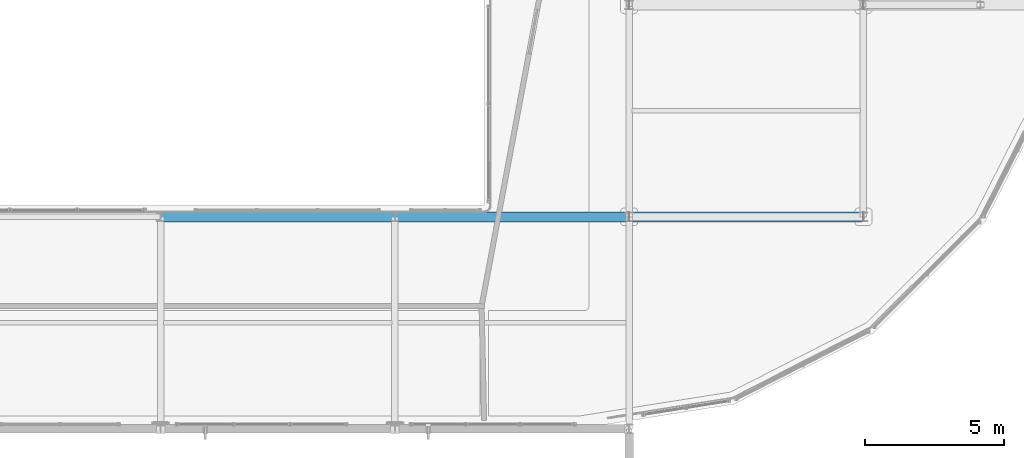
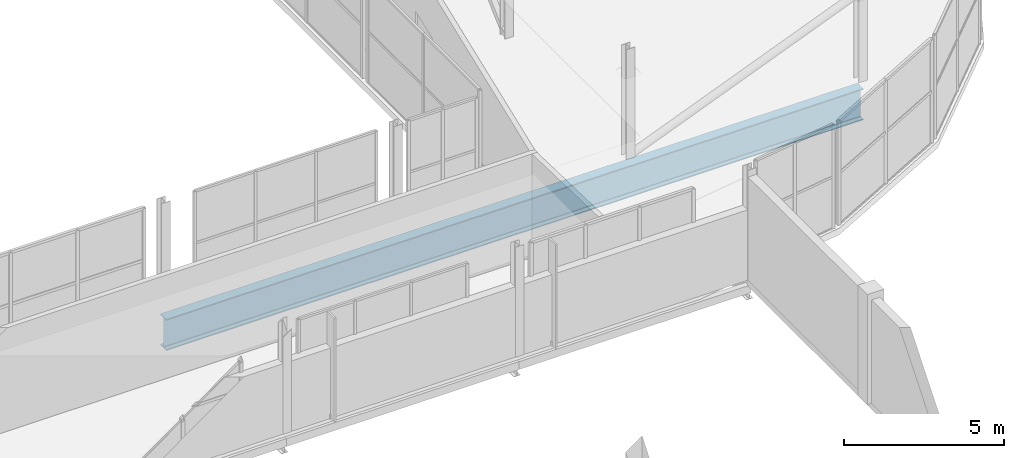
# One storey, part 90 of 151: 1 beam.
"""IFC4 building model written with IfcOpenShell, lengths in metres."""

from ifc_helpers import new_model, si_unit, direction, frame, origin, origin_2d, place, context, subcontext, project, spatial, i_section, extrude, material, material_profile, profile_set, type_object, element, save


model = new_model("IFC4")

# Units and contexts
model_context = context("Model", 3, precision=1e-05, world=origin(), true_north=direction((0.0, 1.0)))
body_context = subcontext(model_context, "Body", "Model", "MODEL_VIEW")
ifc_project = project(units=[si_unit("LENGTHUNIT", "METRE"), si_unit("AREAUNIT", "SQUARE_METRE"), si_unit("VOLUMEUNIT", "CUBIC_METRE"), si_unit("PLANEANGLEUNIT", "RADIAN"), si_unit("MASSUNIT", "GRAM", prefix="KILO")], contexts=[model_context])

# Site, building, storey
site_placement = place(None, origin())
site = spatial("IfcSite", under=ifc_project, at=site_placement, CompositionType="ELEMENT")
building_placement = place(site_placement, origin())
building = spatial("IfcBuilding", under=site, at=building_placement, Name="Zuvorla Pavilion Media Centre", CompositionType="ELEMENT")
storey_placement = place(building_placement, frame((0.0, 0.0, 13.800048828125)))
storey = spatial("IfcBuildingStorey", under=building, at=storey_placement, Name="L03", CompositionType="ELEMENT", Elevation=13.800048828125)

# Beam
ifc_material = material(Name="Steel S355", Category="steel")
ifc_material_profile = material_profile(ifc_material, i_section(OverallWidth=0.360107421875, OverallDepth=1.199951171875, WebThickness=0.02001953125, FlangeThickness=0.0380859375, FilletRadius=0.02392578125, at=origin_2d()), Name="PG 1200x360x38")
ifc_profile_set = profile_set([ifc_material_profile], Name="Steel S355")
beam_type = type_object("IfcBeamType", Name="BM-PG1200", PredefinedType="BEAM", material=ifc_profile_set)
beam_placement = place(storey_placement, frame((142.39990234375, 51.60009765625, -0.858154296875), z_axis=(1.0, 0.0, 0.0), x_axis=(0.0, 1.0, 0.0)))
element("IfcBeam", 1, at=beam_placement, inside=storey, type_object=beam_type, Name="L03 beam B01 1692", PredefinedType="BEAM", context=body_context, shape_type="SweptSolid", body=[
    extrude(i_section(OverallWidth=0.360107421875, OverallDepth=1.199951171875, WebThickness=0.02001953125, FlangeThickness=0.0380859375, FilletRadius=0.02392578125, at=origin_2d()), origin(), (0.0, 0.0, 1.0), 25.2001953125),
])

save(model, "model.ifc")
